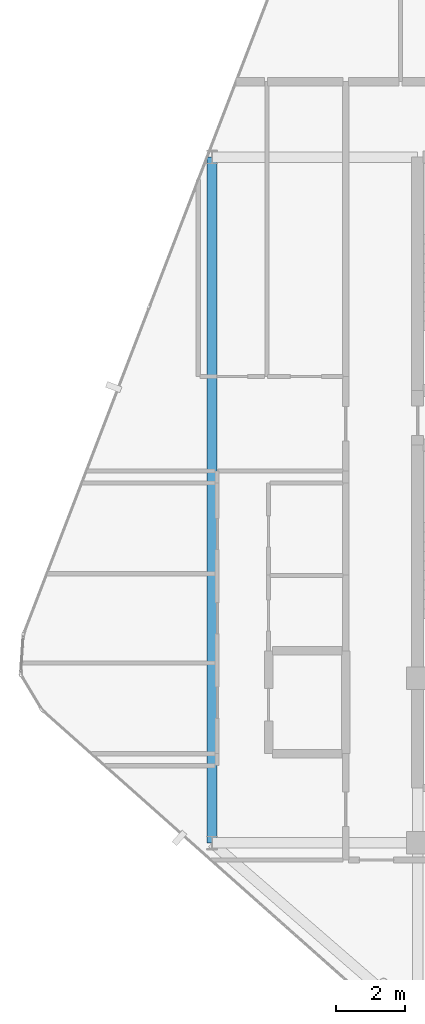
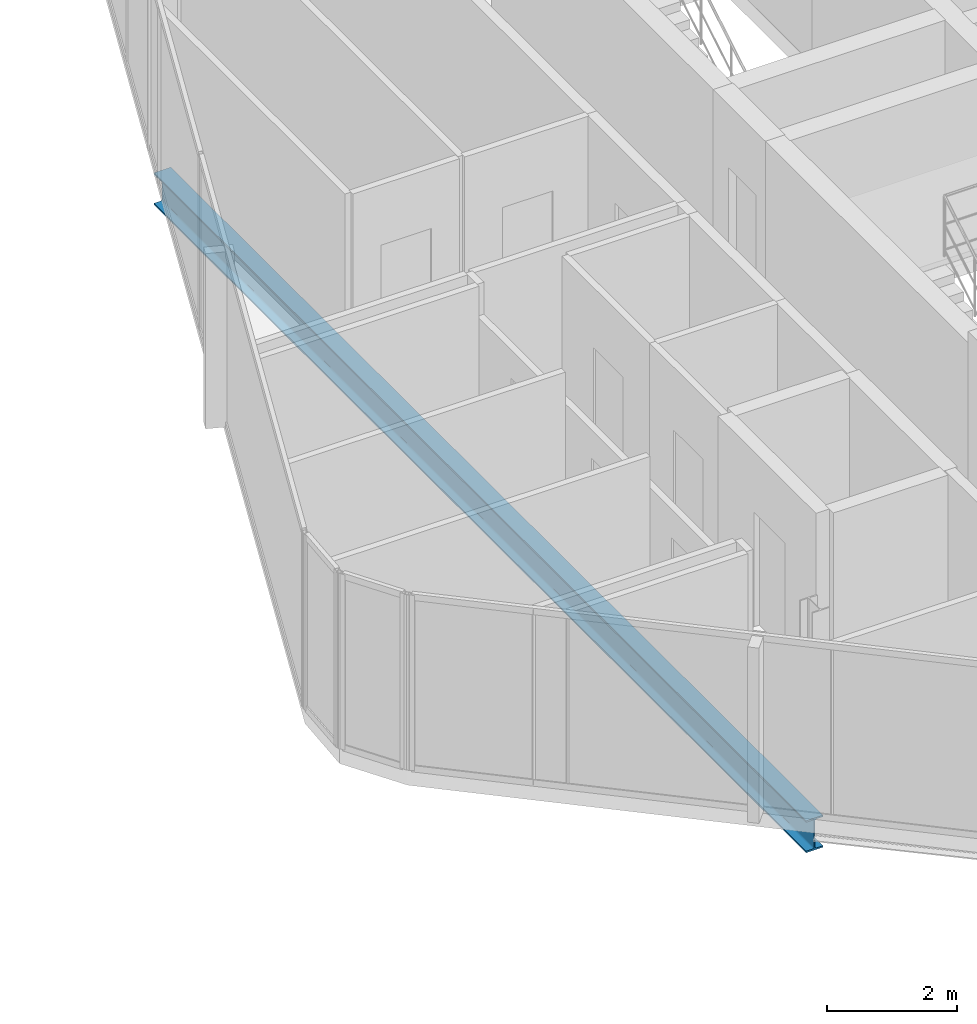
# One storey, part 9 of 27: 1 beam.
"""IFC4 building model written with IfcOpenShell, lengths in metres."""

from ifc_helpers import new_model, si_unit, direction, frame, origin, origin_2d, place, context, subcontext, project, spatial, i_section, extrude, material, material_profile, profile_set, type_object, element, save


model = new_model("IFC4")

# Units and contexts
model_context = context("Model", 3, precision=1e-05, world=origin(), true_north=direction((0.0, 1.0)))
body_context = subcontext(model_context, "Body", "Model", "MODEL_VIEW")
ifc_project = project(units=[si_unit("LENGTHUNIT", "METRE"), si_unit("AREAUNIT", "SQUARE_METRE"), si_unit("VOLUMEUNIT", "CUBIC_METRE"), si_unit("PLANEANGLEUNIT", "RADIAN"), si_unit("MASSUNIT", "GRAM", prefix="KILO")], contexts=[model_context])

# Site, building, storey
site_placement = place(None, origin())
site = spatial("IfcSite", under=ifc_project, at=site_placement, CompositionType="ELEMENT")
building_placement = place(site_placement, origin())
building = spatial("IfcBuilding", under=site, at=building_placement, Name="Keshet Zoharim Tower", CompositionType="ELEMENT")
storey_placement = place(building_placement, frame((0.0, 0.0, 311.0)))
storey = spatial("IfcBuildingStorey", under=building, at=storey_placement, Name="L78", CompositionType="ELEMENT", Elevation=311.0)

# Beam
ifc_material = material(Name="Steel S355", Category="steel")
ifc_material_profile = material_profile(ifc_material, i_section(OverallWidth=0.300048828125, OverallDepth=0.60009765625, WebThickness=0.015380859375, FlangeThickness=0.030029296875, FilletRadius=0.027099609375, at=origin_2d()), Name="HEB600")
ifc_profile_set = profile_set([ifc_material_profile], Name="Steel S355")
beam_type = type_object("IfcBeamType", Name="BM-LNG-HB600", PredefinedType="BEAM", material=ifc_profile_set)
beam_placement = place(storey_placement, frame((9.0, 17.89990234375, -0.610107421875), z_axis=(0.0, 1.0, 0.0), x_axis=(-1.0, 0.0, 0.0)))
element("IfcBeam", 1, at=beam_placement, inside=storey, type_object=beam_type, Name="L78 Primary Girder Y-001", PredefinedType="BEAM", context=body_context, shape_type="SweptSolid", body=[
    extrude(i_section(OverallWidth=0.300048828125, OverallDepth=0.60009765625, WebThickness=0.015380859375, FlangeThickness=0.030029296875, FilletRadius=0.027099609375, at=origin_2d()), origin(), (0.0, 0.0, 1.0), 20.0),
])

save(model, "model.ifc")
